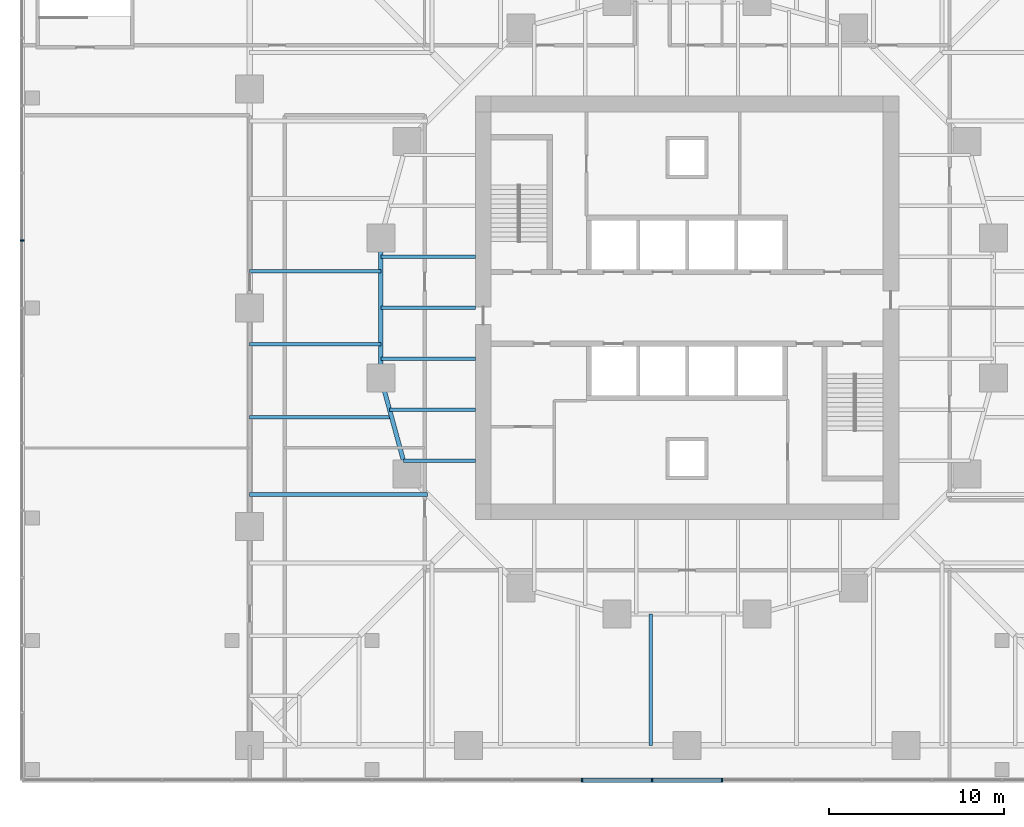
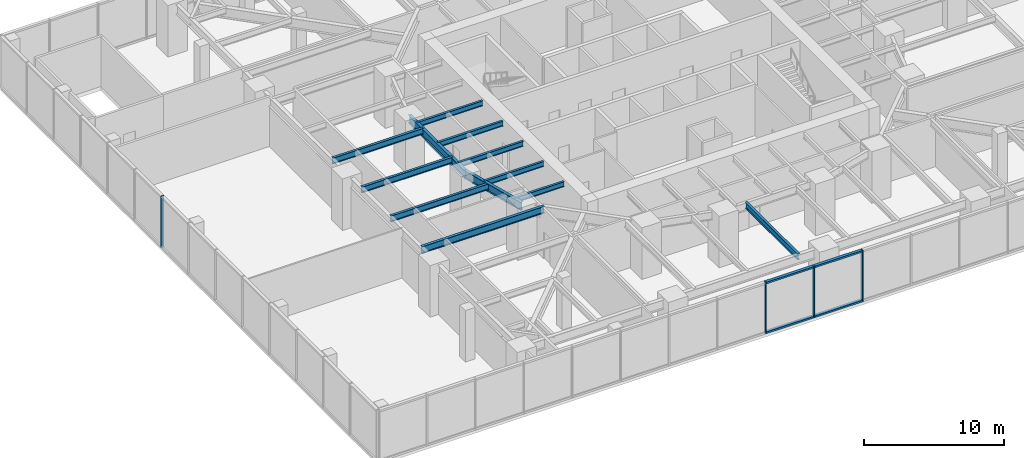
# One storey, part 3 of 14: 12 beams, 8 members, 2 elements without a shape of their own.
"""IFC4 building model written with IfcOpenShell, lengths in metres."""

from ifc_helpers import new_model, si_unit, direction, frame, origin, origin_2d, place, context, subcontext, project, spatial, rectangle, i_section, extrude, material, material_profile, profile_set, type_object, element, aggregate, save


model = new_model("IFC4")

# Units and contexts
model_context = context("Model", 3, precision=1e-05, world=origin(), true_north=direction((0.0, 1.0)))
body_context = subcontext(model_context, "Body", "Model", "MODEL_VIEW")
ifc_project = project(units=[si_unit("LENGTHUNIT", "METRE"), si_unit("AREAUNIT", "SQUARE_METRE"), si_unit("VOLUMEUNIT", "CUBIC_METRE"), si_unit("PLANEANGLEUNIT", "RADIAN"), si_unit("MASSUNIT", "GRAM", prefix="KILO")], contexts=[model_context])

# Site, building, storey
site_placement = place(None, origin())
site = spatial("IfcSite", under=ifc_project, at=site_placement, CompositionType="ELEMENT")
building_placement = place(site_placement, origin())
building = spatial("IfcBuilding", under=site, at=building_placement, Name="Torsade Residences", CompositionType="ELEMENT")
storey_placement = place(building_placement, frame((0.0, 0.0, 10.5)))
storey = spatial("IfcBuildingStorey", under=building, at=storey_placement, Name="L02", CompositionType="ELEMENT", Elevation=10.5)

# Beams
ifc_material_1 = material(Name="Steel grade 300", Category="steel")
ifc_material_profile_1 = material_profile(ifc_material_1, i_section(OverallWidth=0.18994140625, OverallDepth=0.4541015625, WebThickness=0.008544921875, FlangeThickness=0.0126953125, FilletRadius=0.011474609375, at=origin_2d()), Name="460UB67.1")
ifc_profile_set_1 = profile_set([ifc_material_profile_1], Name="Steel grade 300")
beam_type_1 = type_object("IfcBeamType", Name="INNER FLOOR BEAM 460UB67.1", PredefinedType="JOIST", material=ifc_profile_set_1)
for number, where, z_axis, x_axis, name in (
    (1, (27.89990234375, 32.91259765625, 4.123046875), (-1.0, 0.0, 0.0), (0.0, -1.0, 0.0), "Inner floor beam IW03 L03"),
    (2, (27.89990234375, 30.0, 4.123046875), (-1.0, 0.0, 0.0), (0.0, -1.0, 0.0), "Inner floor beam IW04 L03"),
    (3, (27.89990234375, 27.08740234375, 4.123046875), (-1.0, 0.0, 0.0), (0.0, -1.0, 0.0), "Inner floor beam IW05 L03"),
):
    element("IfcBeam", number, at=place(storey_placement, frame(where, z_axis=z_axis, x_axis=x_axis)), inside=storey, type_object=beam_type_1, Name=name, PredefinedType="JOIST", context=body_context, shape_type="SweptSolid", body=[
        extrude(i_section(OverallWidth=0.18994140625, OverallDepth=0.4541015625, WebThickness=0.008544921875, FlangeThickness=0.0126953125, FilletRadius=0.011474609375, at=origin_2d()), origin(), (0.0, 0.0, 1.0), 5.39990234375),
    ])
beam_1_placement = place(storey_placement, frame((27.89990234375, 24.175048828125, 4.123046875), z_axis=(-1.0, 0.0, 0.0), x_axis=(0.0, -1.0, 0.0)))
element("IfcBeam", 4, at=beam_1_placement, inside=storey, type_object=beam_type_1, Name="Inner floor beam IW06 L03", PredefinedType="JOIST", context=body_context, shape_type="SweptSolid", body=[
    extrude(i_section(OverallWidth=0.18994140625, OverallDepth=0.4541015625, WebThickness=0.008544921875, FlangeThickness=0.0126953125, FilletRadius=0.011474609375, at=origin_2d()), origin(), (0.0, 0.0, 1.0), 4.902099609375),
])
beam_2_placement = place(storey_placement, frame((27.89990234375, 21.262451171875, 4.123046875), z_axis=(-1.0, 0.0, 0.0), x_axis=(0.0, -1.0, 0.0)))
element("IfcBeam", 5, at=beam_2_placement, inside=storey, type_object=beam_type_1, Name="Inner floor beam IW07 L03", PredefinedType="JOIST", context=body_context, shape_type="SweptSolid", body=[
    extrude(i_section(OverallWidth=0.18994140625, OverallDepth=0.4541015625, WebThickness=0.008544921875, FlangeThickness=0.0126953125, FilletRadius=0.011474609375, at=origin_2d()), origin(), (0.0, 0.0, 1.0), 4.10791015625),
])

# Curtain wall, members
ifc_material_2 = material(Name="Aluminium and glass", Category="aluminium")
curtain_wall_type = type_object("IfcCurtainWallType", Name="PODIUM CURTAIN WALL", PredefinedType="NOTDEFINED", material=ifc_material_2)
curtain_wall_1_placement = place(storey_placement, origin())
curtain_wall_1 = element("IfcCurtainWall", 6, at=curtain_wall_1_placement, inside=storey, type_object=curtain_wall_type, Name="Podium curtain wall L02 S", PredefinedType="NOTDEFINED")
ifc_material_3 = material(Name="Aluminium mullion", Category="aluminium")
ifc_material_profile_2 = material_profile(ifc_material_3, rectangle(XDim=0.25, YDim=0.090087890625, at=origin_2d()), Name="PODIUM CURTAIN WALL MULLION 250x90")
ifc_profile_set_2 = profile_set([ifc_material_profile_2], Name="Aluminium mullion")
member_type_1 = type_object("IfcMemberType", Name="PODIUM CURTAIN WALL MULLION 250x90", PredefinedType="MULLION", material=ifc_profile_set_2)
member_1_placement = place(storey_placement, frame((34.0, 3.0, 0.0), z_axis=(0.0, 0.0, 1.0), x_axis=(0.0, 1.0, 0.0)))
member_1 = element("IfcMember", 7, at=member_1_placement, type_object=member_type_1, Name="Mullion 9", PredefinedType="MULLION", context=body_context, shape_type="SweptSolid", body=[
    extrude(rectangle(XDim=0.25, YDim=0.090087890625, at=origin_2d()), origin(), (0.0, 0.0, 1.0), 4.5),
])
member_2_placement = place(storey_placement, frame((38.0, 3.0, 0.0), z_axis=(0.0, 0.0, 1.0), x_axis=(0.0, 1.0, 0.0)))
member_2 = element("IfcMember", 8, at=member_2_placement, type_object=member_type_1, Name="Mullion 10", PredefinedType="MULLION", context=body_context, shape_type="SweptSolid", body=[
    extrude(rectangle(XDim=0.25, YDim=0.090087890625, at=origin_2d()), origin(), (0.0, 0.0, 1.0), 4.5),
])
member_3_placement = place(storey_placement, frame((42.0, 3.0, 0.0), z_axis=(0.0, 0.0, 1.0), x_axis=(0.0, 1.0, 0.0)))
member_3 = element("IfcMember", 9, at=member_3_placement, type_object=member_type_1, Name="Mullion 11", PredefinedType="MULLION", context=body_context, shape_type="SweptSolid", body=[
    extrude(rectangle(XDim=0.25, YDim=0.090087890625, at=origin_2d()), origin(), (0.0, 0.0, 1.0), 4.5),
])

# Curtain wall, member
curtain_wall_2_placement = place(storey_placement, origin())
curtain_wall_2 = element("IfcCurtainWall", 10, at=curtain_wall_2_placement, inside=storey, type_object=curtain_wall_type, Name="Podium curtain wall L02 W", PredefinedType="NOTDEFINED")
member_4_placement = place(storey_placement, frame((2.0, 33.857177734375, 0.0), z_axis=(0.0, 0.0, 1.0), x_axis=(1.0, 0.0, 0.0)))
member_4 = element("IfcMember", 11, at=member_4_placement, type_object=member_type_1, Name="Mullion 7", PredefinedType="MULLION", context=body_context, shape_type="SweptSolid", body=[
    extrude(rectangle(XDim=0.25, YDim=0.090087890625, at=origin_2d()), origin(), (0.0, 0.0, 1.0), 4.5),
])
aggregate(curtain_wall_2, [member_4])

# Member
ifc_material_4 = material(Name="Aluminium transom", Category="aluminium")
ifc_material_profile_3 = material_profile(ifc_material_4, rectangle(XDim=0.25, YDim=0.14990234375, at=origin_2d()), Name="PODIUM CURTAIN WALL TRANSOM 250x150")
ifc_profile_set_3 = profile_set([ifc_material_profile_3], Name="Aluminium transom")
member_type_2 = type_object("IfcMemberType", Name="PODIUM CURTAIN WALL TRANSOM 250x150", PredefinedType="USERDEFINED", material=ifc_profile_set_3)
member_5_placement = place(storey_placement, frame((34.044921875, 3.0, 0.074951171875), z_axis=(1.0, 0.0, 0.0), x_axis=(0.0, 1.0, 0.0)))
member_5 = element("IfcMember", 12, at=member_5_placement, type_object=member_type_2, Name="Transom 9.1", ObjectType="TRANSOM", PredefinedType="USERDEFINED", context=body_context, shape_type="SweptSolid", body=[
    extrude(rectangle(XDim=0.25, YDim=0.14990234375, at=origin_2d()), origin(), (0.0, 0.0, 1.0), 3.91015625),
])

member_6_placement = place(storey_placement, frame((34.044921875, 3.0, 4.425048828125), z_axis=(1.0, 0.0, 0.0), x_axis=(0.0, 1.0, 0.0)))
member_6 = element("IfcMember", 13, at=member_6_placement, type_object=member_type_2, Name="Transom 9.2", ObjectType="TRANSOM", PredefinedType="USERDEFINED", context=body_context, shape_type="SweptSolid", body=[
    extrude(rectangle(XDim=0.25, YDim=0.14990234375, at=origin_2d()), origin(), (0.0, 0.0, 1.0), 3.91015625),
])

member_7_placement = place(storey_placement, frame((38.044921875, 3.0, 0.074951171875), z_axis=(1.0, 0.0, 0.0), x_axis=(0.0, 1.0, 0.0)))
member_7 = element("IfcMember", 14, at=member_7_placement, type_object=member_type_2, Name="Transom 10.1", ObjectType="TRANSOM", PredefinedType="USERDEFINED", context=body_context, shape_type="SweptSolid", body=[
    extrude(rectangle(XDim=0.25, YDim=0.14990234375, at=origin_2d()), origin(), (0.0, 0.0, 1.0), 3.91015625),
])

member_8_placement = place(storey_placement, frame((38.044921875, 3.0, 4.425048828125), z_axis=(1.0, 0.0, 0.0), x_axis=(0.0, 1.0, 0.0)))
member_8 = element("IfcMember", 15, at=member_8_placement, type_object=member_type_2, Name="Transom 10.2", ObjectType="TRANSOM", PredefinedType="USERDEFINED", context=body_context, shape_type="SweptSolid", body=[
    extrude(rectangle(XDim=0.25, YDim=0.14990234375, at=origin_2d()), origin(), (0.0, 0.0, 1.0), 3.91015625),
])

aggregate(curtain_wall_1, [member_1, member_2, member_3, member_5, member_6, member_7, member_8])

# Beams
ifc_material_5 = material(Name="Steel grade 300", Category="steel")
ifc_material_profile_4 = material_profile(ifc_material_5, i_section(OverallWidth=0.25, OverallDepth=0.699951171875, WebThickness=0.010009765625, FlangeThickness=0.02001953125, at=origin_2d()), Name="700WB130")
ifc_profile_set_4 = profile_set([ifc_material_profile_4], Name="Steel grade 300")
beam_type_2 = type_object("IfcBeamType", Name="RING GIRDER 700WB130", PredefinedType="BEAM", material=ifc_profile_set_4)
beam_3_placement = place(storey_placement, frame((22.5, 34.0, 4.0), z_axis=(0.0, -1.0, 0.0), x_axis=(1.0, 0.0, 0.0)))
element("IfcBeam", 16, at=beam_3_placement, inside=storey, type_object=beam_type_2, Name="Ring girder IR09 L03", PredefinedType="BEAM", context=body_context, shape_type="SweptSolid", body=[
    extrude(i_section(OverallWidth=0.25, OverallDepth=0.699951171875, WebThickness=0.010009765625, FlangeThickness=0.02001953125, at=origin_2d()), origin(), (0.0, 0.0, 1.0), 8.0),
])
beam_4_placement = place(storey_placement, frame((22.5, 26.0, 4.0), z_axis=(0.263117405792, -0.964763821238, 0.0), x_axis=(0.964763821238, 0.263117405792, 0.0)))
element("IfcBeam", 17, at=beam_4_placement, inside=storey, type_object=beam_type_2, Name="Ring girder IR10 L03", PredefinedType="BEAM", context=body_context, shape_type="SweptSolid", body=[
    extrude(i_section(OverallWidth=0.25, OverallDepth=0.699951171875, WebThickness=0.010009765625, FlangeThickness=0.02001953125, at=origin_2d()), origin(), (0.0, 0.0, 1.0), 5.700927734375),
])
ifc_material_6 = material(Name="Steel grade 300", Category="steel")
ifc_material_profile_5 = material_profile(ifc_material_6, i_section(OverallWidth=0.208984375, OverallDepth=0.528076171875, WebThickness=0.009521484375, FlangeThickness=0.01318359375, FilletRadius=0.013916015625, at=origin_2d()), Name="530UB82.0")
ifc_profile_set_5 = profile_set([ifc_material_profile_5], Name="Steel grade 300")
beam_type_3 = type_object("IfcBeamType", Name="SECONDARY BEAM 530UB82.0", PredefinedType="JOIST", material=ifc_profile_set_5)
for number, where, z_axis, x_axis, name in (
    (18, (37.916748046875, 5.0, 4.0859375), (0.0, 1.0, 0.0), (-1.0, 0.0, 0.0), "Floor beam FS06 L03"),
    (19, (15.0, 32.083251953125, 4.0859375), (1.0, 0.0, 0.0), (0.0, 1.0, 0.0), "Floor beam FW06 L03"),
    (20, (15.0, 27.916748046875, 4.0859375), (1.0, 0.0, 0.0), (0.0, 1.0, 0.0), "Floor beam FW07 L03"),
):
    element("IfcBeam", number, at=place(storey_placement, frame(where, z_axis=z_axis, x_axis=x_axis)), inside=storey, type_object=beam_type_3, Name=name, PredefinedType="JOIST", context=body_context, shape_type="SweptSolid", body=[
        extrude(i_section(OverallWidth=0.208984375, OverallDepth=0.528076171875, WebThickness=0.009521484375, FlangeThickness=0.01318359375, FilletRadius=0.013916015625, at=origin_2d()), origin(), (0.0, 0.0, 1.0), 7.5),
    ])
beam_5_placement = place(storey_placement, frame((15.0, 23.75, 4.0859375), z_axis=(1.0, 0.0, 0.0), x_axis=(0.0, 1.0, 0.0)))
element("IfcBeam", 21, at=beam_5_placement, inside=storey, type_object=beam_type_3, Name="Floor beam FW08 L03", PredefinedType="JOIST", context=body_context, shape_type="SweptSolid", body=[
    extrude(i_section(OverallWidth=0.208984375, OverallDepth=0.528076171875, WebThickness=0.009521484375, FlangeThickness=0.01318359375, FilletRadius=0.013916015625, at=origin_2d()), origin(), (0.0, 0.0, 1.0), 8.113525390625),
])
ifc_material_7 = material(Name="Steel grade 300", Category="steel")
ifc_material_profile_6 = material_profile(ifc_material_7, i_section(OverallWidth=0.22900390625, OverallDepth=0.612060546875, WebThickness=0.011962890625, FlangeThickness=0.01953125, FilletRadius=0.013916015625, at=origin_2d()), Name="610UB125")
ifc_profile_set_6 = profile_set([ifc_material_profile_6], Name="Steel grade 300")
beam_type_4 = type_object("IfcBeamType", Name="SECONDARY BEAM 610UB125", PredefinedType="JOIST", material=ifc_profile_set_6)
beam_6_placement = place(storey_placement, frame((15.0, 19.333251953125, 4.0439453125), z_axis=(1.0, 0.0, 0.0), x_axis=(0.0, 1.0, 0.0)))
element("IfcBeam", 22, at=beam_6_placement, inside=storey, type_object=beam_type_4, Name="Floor beam FW09 L03", PredefinedType="JOIST", context=body_context, shape_type="SweptSolid", body=[
    extrude(i_section(OverallWidth=0.22900390625, OverallDepth=0.612060546875, WebThickness=0.011962890625, FlangeThickness=0.01953125, FilletRadius=0.013916015625, at=origin_2d()), origin(), (0.0, 0.0, 1.0), 10.166748046875),
])

save(model, "model.ifc")
